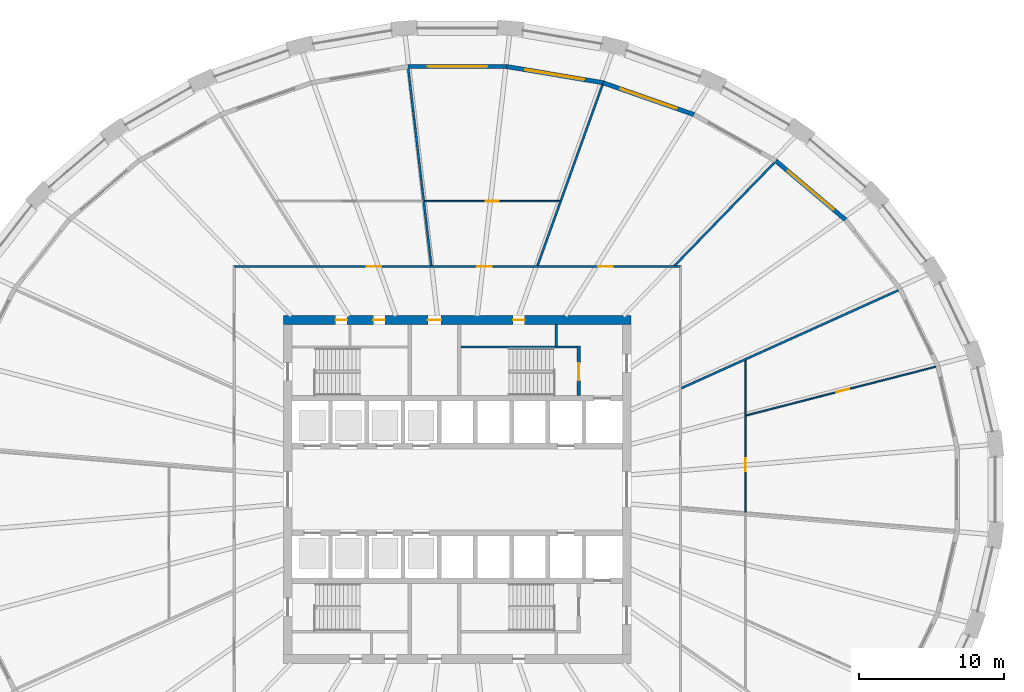
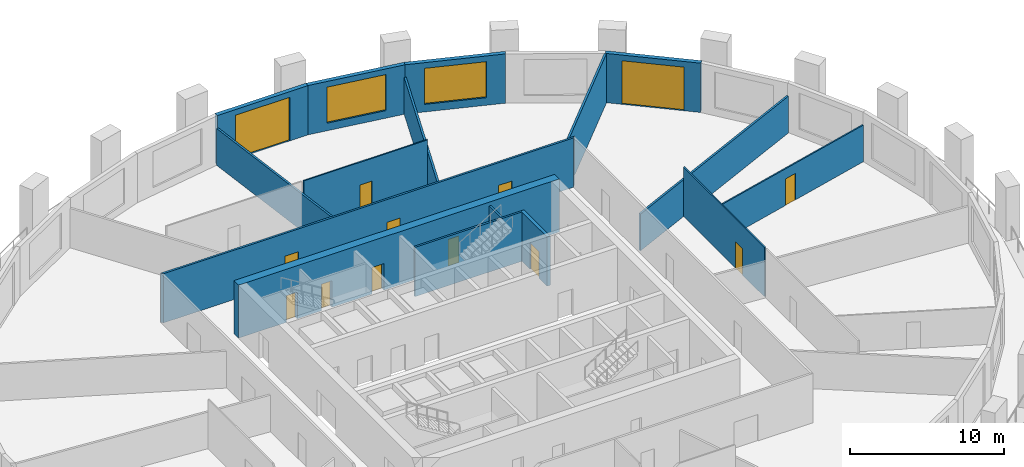
# One storey, part 6 of 10: 16 walls, 13 doors, 2 windows, 15 openings.
"""IFC4 building model written with IfcOpenShell, lengths in metres."""

from ifc_helpers import new_model, si_unit, direction, frame, frame_2d, origin, place, context, subcontext, project, spatial, polyline, rectangle, outline, extrude, material, layer, layer_set, type_object, element, fill, save


model = new_model("IFC4")

# Units and contexts
model_context = context("Model", 3, precision=1e-05, world=origin(), true_north=direction((0.0, 1.0)))
body_context = subcontext(model_context, "Body", "Model", "MODEL_VIEW")
ifc_project = project(units=[si_unit("LENGTHUNIT", "METRE"), si_unit("AREAUNIT", "SQUARE_METRE"), si_unit("VOLUMEUNIT", "CUBIC_METRE"), si_unit("PLANEANGLEUNIT", "RADIAN"), si_unit("MASSUNIT", "GRAM", prefix="KILO")], contexts=[model_context])

# Site, building, storey
site_placement = place(None, origin())
site = spatial("IfcSite", under=ifc_project, at=site_placement, CompositionType="ELEMENT")
building_placement = place(site_placement, origin())
building = spatial("IfcBuilding", under=site, at=building_placement, Name="Halqa Exchange Tower", CompositionType="ELEMENT")
storey_placement = place(building_placement, frame((0.0, 0.0, 48.699951171875)))
storey = spatial("IfcBuildingStorey", under=building, at=storey_placement, Name="L10", CompositionType="ELEMENT", Elevation=48.699951171875)

# Wall, openings, doors
ifc_material_1 = material(Name="Fire-rated gypsum board")
ifc_layer_1 = layer(ifc_material_1, 0.14990234375)
ifc_layer_set_1 = layer_set([ifc_layer_1], Name="Fire-rated gypsum board")
wall_type_1 = type_object("IfcWallType", Name="Fire partition EI 60 150", PredefinedType="PARTITIONING", material=ifc_layer_set_1)
wall_1_placement = place(storey_placement, frame((-15.47509765625, 15.39990234375, 0.0), z_axis=(0.0, 0.0, 1.0), x_axis=(1.0, 0.0, 0.0)))
wall_1 = element("IfcWall", 1, at=wall_1_placement, inside=storey, type_object=wall_type_1, Name="L10-PWL-009", PredefinedType="PARTITIONING", context=body_context, shape_type="SweptSolid", body=[
    extrude(outline(polyline([(0.150146484375, -0.074951171875), (2.065673828125, -0.074951171875), (3.9814453125, -0.074951171875), (5.89697265625, -0.074951171875), (7.8125, -0.074951171875), (9.728271484375, -0.074951171875), (11.643798828125, -0.074951171875), (13.5595703125, -0.074951171875), (15.47509765625, -0.074951171875), (17.390625, -0.074951171875), (19.306396484375, -0.074951171875), (21.221923828125, -0.074951171875), (23.1376953125, -0.074951171875), (25.05322265625, -0.074951171875), (26.96875, -0.074951171875), (28.884521484375, -0.074951171875), (30.800048828125, -0.074951171875), (30.949951171875, 0.074951171875), (29.015625, 0.074951171875), (27.081298828125, 0.074951171875), (25.14697265625, 0.074951171875), (23.21240234375, 0.074951171875), (21.278076171875, 0.074951171875), (19.34375, 0.074951171875), (17.409423828125, 0.074951171875), (15.47509765625, 0.074951171875), (13.540771484375, 0.074951171875), (11.6064453125, 0.074951171875), (9.672119140625, 0.074951171875), (7.73779296875, 0.074951171875), (5.80322265625, 0.074951171875), (3.868896484375, 0.074951171875), (1.9345703125, 0.074951171875), (0.000244140625, 0.074951171875), (0.150146484375, -0.074951171875)])), origin(), (0.0, 0.0, 1.0), 3.900146484375),
])
opening_1_placement = place(wall_1_placement, frame((16.840087890625, 0.0, 0.0)))
opening_1 = element("IfcOpeningElement", 2, at=opening_1_placement, cuts=wall_1, Name="Opening 03-01", PredefinedType="OPENING", context=body_context, shape_type="SweptSolid", body=[
    extrude(rectangle(XDim=1.0, YDim=2.10009765625, at=frame_2d((0.5, 1.050048828125))), frame((0.0, 0.0869140625, 0.0), z_axis=(0.0, -1.0, 0.0), x_axis=(1.0, 0.0, 0.0)), (0.0, 0.0, 1.0), 0.173828125),
])
opening_2_placement = place(wall_1_placement, frame((9.215087890625, 0.0, 0.0)))
opening_2 = element("IfcOpeningElement", 3, at=opening_2_placement, cuts=wall_1, Name="Opening 03-02", PredefinedType="OPENING", context=body_context, shape_type="SweptSolid", body=[
    extrude(rectangle(XDim=1.0, YDim=2.10009765625, at=frame_2d((0.5, 1.050048828125))), frame((0.0, 0.0869140625, 0.0), z_axis=(0.0, -1.0, 0.0), x_axis=(1.0, 0.0, 0.0)), (0.0, 0.0, 1.0), 0.173828125),
])
opening_3_placement = place(wall_1_placement, frame((25.2099609375, 0.0, 0.0)))
opening_3 = element("IfcOpeningElement", 4, at=opening_3_placement, cuts=wall_1, Name="Opening 03-13", PredefinedType="OPENING", context=body_context, shape_type="SweptSolid", body=[
    extrude(rectangle(XDim=1.0, YDim=2.10009765625, at=frame_2d((0.5, 1.050048828125))), frame((0.0, 0.0869140625, 0.0), z_axis=(0.0, -1.0, 0.0), x_axis=(1.0, 0.0, 0.0)), (0.0, 0.0, 1.0), 0.173828125),
])
ifc_material_2 = material(Name="Steel fire door leaf", Category="steel")
door_type_1 = type_object("IfcDoorType", Name="Fire door FD30S 1000 x 2100", OperationType="SINGLE_SWING_LEFT", PredefinedType="DOOR", material=ifc_material_2)
door_1_placement = place(opening_1_placement, origin())
door_1 = element("IfcDoor", 5, at=door_1_placement, inside=storey, type_object=door_type_1, Name="L10-IDR-001", OperationType="SINGLE_SWING_RIGHT", OverallHeight=2.10009765625, OverallWidth=1.0, PredefinedType="DOOR", context=body_context, shape_type="SweptSolid", body=[
    extrude(rectangle(XDim=1.0, YDim=2.10009765625, at=frame_2d((0.5, 1.050048828125))), frame((0.0, 0.02490234375, 0.0), z_axis=(0.0, -1.0, 0.0), x_axis=(1.0, 0.0, 0.0)), (0.0, 0.0, 1.0), 0.050048828125),
])
fill(opening_1, door_1)
door_2_placement = place(opening_2_placement, origin())
door_2 = element("IfcDoor", 6, at=door_2_placement, inside=storey, type_object=door_type_1, Name="L10-IDR-002", OperationType="SINGLE_SWING_RIGHT", OverallHeight=2.10009765625, OverallWidth=1.0, PredefinedType="DOOR", context=body_context, shape_type="SweptSolid", body=[
    extrude(rectangle(XDim=1.0, YDim=2.10009765625, at=frame_2d((0.5, 1.050048828125))), frame((0.0, 0.02490234375, 0.0), z_axis=(0.0, -1.0, 0.0), x_axis=(1.0, 0.0, 0.0)), (0.0, 0.0, 1.0), 0.050048828125),
])
fill(opening_2, door_2)
door_3_placement = place(opening_3_placement, origin())
door_3 = element("IfcDoor", 7, at=door_3_placement, inside=storey, type_object=door_type_1, Name="L10-IDR-013", OperationType="SINGLE_SWING_LEFT", OverallHeight=2.10009765625, OverallWidth=1.0, PredefinedType="DOOR", context=body_context, shape_type="SweptSolid", body=[
    extrude(rectangle(XDim=1.0, YDim=2.10009765625, at=frame_2d((0.5, 1.050048828125))), frame((0.0, 0.02490234375, 0.0), z_axis=(0.0, -1.0, 0.0), x_axis=(1.0, 0.0, 0.0)), (0.0, 0.0, 1.0), 0.050048828125),
])
fill(opening_3, door_3)

# Walls
wall_2_placement = place(storey_placement, frame((-3.385009765625, 29.0400390625, 0.0), z_axis=(0.0, 0.0, 1.0), x_axis=(0.116139488934, -0.993232912821, 0.0)))
element("IfcWall", 8, at=wall_2_placement, inside=storey, type_object=wall_type_1, Name="L10-PWL-012", PredefinedType="PARTITIONING", context=body_context, shape_type="SweptSolid", body=[
    extrude(outline(polyline([(0.0, -0.074951171875), (1.82861328125, -0.074951171875), (3.6572265625, -0.074951171875), (5.48583984375, -0.074951171875), (7.314453125, -0.074951171875), (9.143310546875, -0.074951171875), (9.14453125, -0.0634765625), (9.24267578125, -0.074951171875), (10.71142578125, -0.074951171875), (12.18017578125, -0.074951171875), (13.648681640625, -0.074951171875), (13.666015625, 0.0732421875), (13.666015625, 0.074951171875), (12.19775390625, 0.074951171875), (10.729736328125, 0.074951171875), (9.261474609375, 0.074951171875), (9.261474609375, 0.074951171875), (9.260986328125, 0.074951171875), (7.40966796875, 0.074951171875), (5.558349609375, 0.074951171875), (3.70703125, 0.074951171875), (1.855712890625, 0.074951171875), (0.00439453125, 0.074951171875), (0.0, 0.038330078125), (0.0, -0.074951171875)])), origin(), (0.0, 0.0, 1.0), 2.91015625),
])
wall_3_placement = place(storey_placement, frame((5.537841796875, 15.449951171875, 0.0), z_axis=(0.0, 0.0, 1.0), x_axis=(0.337991057854, 0.941149321208, 0.0)))
element("IfcWall", 9, at=wall_3_placement, inside=storey, type_object=wall_type_1, Name="L10-PWL-016", PredefinedType="PARTITIONING", context=body_context, shape_type="SweptSolid", body=[
    extrude(outline(polyline([(13.259033203125, -0.074951171875), (13.259033203125, -0.040771484375), (13.2587890625, -0.000244140625), (13.2451171875, 0.074951171875), (11.546875, 0.074951171875), (9.8486328125, 0.074951171875), (8.150146484375, 0.074951171875), (6.451904296875, 0.074951171875), (4.753662109375, 0.074951171875), (4.660400390625, 0.04150390625), (4.648193359375, 0.074951171875), (3.098876953125, 0.074951171875), (1.54931640625, 0.074951171875), (0.0, 0.074951171875), (0.0, 0.07421875), (0.053466796875, -0.074951171875), (1.93994140625, -0.074951171875), (3.826416015625, -0.074951171875), (5.713134765625, -0.074951171875), (7.599609375, -0.074951171875), (9.486083984375, -0.074951171875), (11.37255859375, -0.074951171875), (13.259033203125, -0.074951171875)])), origin(), (0.0, 0.0, 1.0), 2.91015625),
])
wall_4_placement = place(storey_placement, frame((14.972412109375, 15.423095703125, 0.0), z_axis=(0.0, 0.0, 1.0), x_axis=(0.696324469813, 0.717727129722, 0.0)))
element("IfcWall", 10, at=wall_4_placement, inside=storey, type_object=wall_type_1, Name="L10-PWL-017", PredefinedType="PARTITIONING", context=body_context, shape_type="SweptSolid", body=[
    extrude(outline(polyline([(0.0, 0.074951171875), (0.0, 0.074462890625), (0.14501953125, -0.074951171875), (2.100830078125, -0.074951171875), (4.056640625, -0.074951171875), (6.012451171875, -0.074951171875), (7.96826171875, -0.074951171875), (9.924072265625, -0.074951171875), (9.924072265625, 0.074951171875), (7.939208984375, 0.074951171875), (5.954345703125, 0.074951171875), (3.9697265625, 0.074951171875), (1.98486328125, 0.074951171875), (0.0, 0.074951171875)])), origin(), (0.0, 0.0, 1.0), 3.900146484375),
])
wall_5_placement = place(storey_placement, frame((15.444091796875, 6.97998046875, 0.0), z_axis=(0.0, 0.0, 1.0), x_axis=(0.911545333682, 0.411199592221, 0.0)))
element("IfcWall", 11, at=wall_5_placement, inside=storey, type_object=wall_type_1, Name="L10-PWL-021", PredefinedType="PARTITIONING", context=body_context, shape_type="SweptSolid", body=[
    extrude(outline(polyline([(0.0, -0.074951171875), (1.599853515625, -0.074951171875), (3.19970703125, -0.074951171875), (4.799560546875, -0.074951171875), (4.800537109375, -0.072998046875), (4.80517578125, -0.074951171875), (6.747314453125, -0.074951171875), (8.689697265625, -0.074951171875), (10.632080078125, -0.074951171875), (12.574462890625, -0.074951171875), (14.516845703125, -0.074951171875), (16.459228515625, -0.074951171875), (16.459228515625, -0.072021484375), (16.45654296875, 0.01171875), (16.44091796875, 0.074951171875), (14.62158203125, 0.074951171875), (12.80224609375, 0.074951171875), (10.983154296875, 0.074951171875), (9.163818359375, 0.074951171875), (7.3447265625, 0.074951171875), (5.525390625, 0.074951171875), (3.706298828125, 0.074951171875), (1.886962890625, 0.074951171875), (0.067626953125, 0.074951171875), (0.0, -0.074951171875)])), origin(), (0.0, 0.0, 1.0), 2.91015625),
])

# Wall, opening, door
ifc_material_3 = material(Name="Gypsum board")
ifc_layer_2 = layer(ifc_material_3, 0.10009765625)
ifc_layer_set_2 = layer_set([ifc_layer_2], Name="Gypsum board")
wall_type_2 = type_object("IfcWallType", Name="Partition 100 gypsum", PredefinedType="PARTITIONING", material=ifc_layer_set_2)
wall_6_placement = place(storey_placement, frame((-2.24658203125, 19.89990234375, 0.0), z_axis=(0.0, 0.0, 1.0), x_axis=(1.0, 0.0, 0.0)))
wall_6 = element("IfcWall", 12, at=wall_6_placement, inside=storey, type_object=wall_type_2, Name="L10-PWL-013", PredefinedType="PARTITIONING", context=body_context, shape_type="SweptSolid", body=[
    extrude(outline(polyline([(0.01171875, -0.050048828125), (1.866455078125, -0.050048828125), (3.720947265625, -0.050048828125), (5.57568359375, -0.050048828125), (7.43017578125, -0.050048828125), (9.284912109375, -0.050048828125), (9.320556640625, 0.04931640625), (9.320556640625, 0.050048828125), (7.45654296875, 0.050048828125), (5.59228515625, 0.050048828125), (3.728271484375, 0.050048828125), (1.864013671875, 0.050048828125), (0.0, 0.050048828125), (0.01171875, -0.050048828125)])), origin(), (0.0, 0.0, 1.0), 3.900146484375),
])
opening_4_placement = place(wall_6_placement, frame((4.20654296875, 0.0, 0.0)))
opening_4 = element("IfcOpeningElement", 13, at=opening_4_placement, cuts=wall_6, Name="Opening 03-14", PredefinedType="OPENING", context=body_context, shape_type="SweptSolid", body=[
    extrude(rectangle(XDim=0.89990234375, YDim=2.10009765625, at=frame_2d((0.449951171875, 1.050048828125))), frame((0.0, 0.06201171875, 0.0), z_axis=(0.0, -1.0, 0.0), x_axis=(1.0, 0.0, 0.0)), (0.0, 0.0, 1.0), 0.1240234375),
])
ifc_material_4 = material(Name="Timber door leaf", Category="wood")
door_type_2 = type_object("IfcDoorType", Name="Door 900 x 2100", OperationType="SINGLE_SWING_LEFT", PredefinedType="DOOR", material=ifc_material_4)
door_4_placement = place(opening_4_placement, frame((0.89990234375, 0.0, 0.0), z_axis=(0.0, 0.0, 1.0), x_axis=(-1.0, 0.0, 0.0)))
door_4 = element("IfcDoor", 14, at=door_4_placement, inside=storey, type_object=door_type_2, Name="L10-IDR-014", OperationType="SINGLE_SWING_LEFT", OverallHeight=2.10009765625, OverallWidth=0.89990234375, PredefinedType="DOOR", context=body_context, shape_type="SweptSolid", body=[
    extrude(rectangle(XDim=0.89990234375, YDim=2.10009765625, at=frame_2d((0.449951171875, 1.050048828125))), frame((0.0, 0.02490234375, 0.0), z_axis=(0.0, -1.0, 0.0), x_axis=(1.0, 0.0, 0.0)), (0.0, 0.0, 1.0), 0.050048828125),
])
fill(opening_4, door_4)

wall_7_placement = place(storey_placement, frame((19.89990234375, -1.5849609375, 0.0), z_axis=(0.0, 0.0, 1.0), x_axis=(0.0, 1.0, 0.0)))
wall_7 = element("IfcWall", 15, at=wall_7_placement, inside=storey, type_object=wall_type_2, Name="L10-PWL-024", PredefinedType="PARTITIONING", context=body_context, shape_type="SweptSolid", body=[
    extrude(outline(polyline([(0.0, -0.050048828125), (1.685546875, -0.050048828125), (3.370849609375, -0.050048828125), (5.056396484375, -0.050048828125), (6.74169921875, -0.050048828125), (6.7490234375, -0.048095703125), (6.74951171875, -0.050048828125), (8.632080078125, -0.050048828125), (10.514892578125, -0.050048828125), (10.514892578125, -0.04931640625), (10.469970703125, 0.050048828125), (8.726318359375, 0.050048828125), (6.982666015625, 0.050048828125), (5.239013671875, 0.050048828125), (3.495361328125, 0.050048828125), (1.751708984375, 0.050048828125), (0.008056640625, 0.050048828125), (0.0, -0.045654296875), (0.0, -0.050048828125)])), origin(), (0.0, 0.0, 1.0), 3.900146484375),
])
opening_5_placement = place(wall_7_placement, frame((2.85498046875, 0.0, 0.0)))
opening_5 = element("IfcOpeningElement", 16, at=opening_5_placement, cuts=wall_7, Name="Opening 03-20", PredefinedType="OPENING", context=body_context, shape_type="SweptSolid", body=[
    extrude(rectangle(XDim=0.89990234375, YDim=2.10009765625, at=frame_2d((0.449951171875, 1.050048828125))), frame((0.0, 0.06201171875, 0.0), z_axis=(0.0, -1.0, 0.0), x_axis=(1.0, 0.0, 0.0)), (0.0, 0.0, 1.0), 0.1240234375),
])
door_5_placement = place(opening_5_placement, origin())
door_5 = element("IfcDoor", 17, at=door_5_placement, inside=storey, type_object=door_type_2, Name="L10-IDR-020", OperationType="SINGLE_SWING_RIGHT", OverallHeight=2.10009765625, OverallWidth=0.89990234375, PredefinedType="DOOR", context=body_context, shape_type="SweptSolid", body=[
    extrude(rectangle(XDim=0.89990234375, YDim=2.10009765625, at=frame_2d((0.449951171875, 1.050048828125))), frame((0.0, 0.02490234375, 0.0), z_axis=(0.0, -1.0, 0.0), x_axis=(1.0, 0.0, 0.0)), (0.0, 0.0, 1.0), 0.050048828125),
])
fill(opening_5, door_5)

wall_8_placement = place(storey_placement, frame((19.937744140625, 5.109619140625, 0.0), z_axis=(0.0, 0.0, 1.0), x_axis=(0.968505877435, 0.248990693348, 0.0)))
wall_8 = element("IfcWall", 18, at=wall_8_placement, inside=storey, type_object=wall_type_2, Name="L10-PWL-025", PredefinedType="PARTITIONING", context=body_context, shape_type="SweptSolid", body=[
    extrude(outline(polyline([(13.515380859375, -0.050048828125), (13.515380859375, 0.00341796875), (13.505615234375, 0.050048828125), (11.580078125, 0.050048828125), (9.654296875, 0.050048828125), (7.728515625, 0.050048828125), (5.802734375, 0.050048828125), (3.876953125, 0.050048828125), (1.951171875, 0.050048828125), (0.025634765625, 0.050048828125), (0.0, -0.04931640625), (0.0, -0.050048828125), (1.9306640625, -0.050048828125), (3.861572265625, -0.050048828125), (5.792236328125, -0.050048828125), (7.72314453125, -0.050048828125), (9.65380859375, -0.050048828125), (11.584716796875, -0.050048828125), (13.515380859375, -0.050048828125)])), origin(), (0.0, 0.0, 1.0), 2.900146484375),
])
opening_6_placement = place(wall_8_placement, frame((6.439208984375, 0.0, 0.0)))
opening_6 = element("IfcOpeningElement", 19, at=opening_6_placement, cuts=wall_8, Name="Opening 03-21", PredefinedType="OPENING", context=body_context, shape_type="SweptSolid", body=[
    extrude(rectangle(XDim=0.89990234375, YDim=2.10009765625, at=frame_2d((0.449951171875, 1.050048828125))), frame((0.0, 0.06201171875, 0.0), z_axis=(0.0, -1.0, 0.0), x_axis=(1.0, 0.0, 0.0)), (0.0, 0.0, 1.0), 0.1240234375),
])
door_6_placement = place(opening_6_placement, origin())
door_6 = element("IfcDoor", 20, at=door_6_placement, inside=storey, type_object=door_type_2, Name="L10-IDR-021", OperationType="SINGLE_SWING_RIGHT", OverallHeight=2.10009765625, OverallWidth=0.89990234375, PredefinedType="DOOR", context=body_context, shape_type="SweptSolid", body=[
    extrude(rectangle(XDim=0.89990234375, YDim=2.10009765625, at=frame_2d((0.449951171875, 1.050048828125))), frame((0.0, 0.02490234375, 0.0), z_axis=(0.0, -1.0, 0.0), x_axis=(1.0, 0.0, 0.0)), (0.0, 0.0, 1.0), 0.050048828125),
])
fill(opening_6, door_6)

# Wall
ifc_layer_3 = layer(ifc_material_3, 0.14990234375)
ifc_layer_set_3 = layer_set([ifc_layer_3], Name="Gypsum board")
wall_type_3 = type_object("IfcWallType", Name="Penthouse riser wall 150 gypsum", PredefinedType="PARTITIONING", material=ifc_layer_set_3)
wall_9_placement = place(storey_placement, frame((6.824951171875, 9.89990234375, 0.0), z_axis=(0.0, 0.0, 1.0), x_axis=(0.0, 1.0, 0.0)))
element("IfcWall", 21, at=wall_9_placement, inside=storey, type_object=wall_type_3, Name="Firefighting lobby west wall N", PredefinedType="PARTITIONING", context=body_context, shape_type="SweptSolid", body=[
    extrude(rectangle(XDim=1.5, YDim=0.14990234375, at=frame_2d((0.75, 0.0))), origin(), (0.0, 0.0, 1.0), 3.900146484375),
])

# Wall, openings, doors
ifc_material_5 = material(Name="Concrete C80/95", Category="concrete")
ifc_layer_4 = layer(ifc_material_5, 0.60009765625)
ifc_layer_set_4 = layer_set([ifc_layer_4], Name="Concrete C80/95")
wall_type_4 = type_object("IfcWallType", Name="RC core wall 600 C80/95", PredefinedType="SHEAR", material=ifc_layer_set_4)
wall_10_placement = place(storey_placement, frame((-12.0, 11.699951171875, 0.0), z_axis=(0.0, 0.0, 1.0), x_axis=(1.0, 0.0, 0.0)))
wall_10 = element("IfcWall", 22, at=wall_10_placement, inside=storey, type_object=wall_type_4, Name="Core wall north", PredefinedType="SHEAR", context=body_context, shape_type="SweptSolid", body=[
    extrude(rectangle(XDim=24.0, YDim=0.60009765625, at=frame_2d((12.0, 0.0))), origin(), (0.0, 0.0, 1.0), 4.199951171875),
])
opening_7_placement = place(wall_10_placement, frame((9.97509765625, 0.0, 0.0)))
opening_7 = element("IfcOpeningElement", 23, at=opening_7_placement, cuts=wall_10, Name="Opening T03-C21", PredefinedType="OPENING", context=body_context, shape_type="SweptSolid", body=[
    extrude(rectangle(XDim=0.89990234375, YDim=2.10009765625, at=frame_2d((0.449951171875, 1.050048828125))), frame((0.0, 0.31201171875, 0.0), z_axis=(0.0, -1.0, 0.0), x_axis=(1.0, 0.0, 0.0)), (0.0, 0.0, 1.0), 0.6240234375),
])
opening_8_placement = place(wall_10_placement, frame((3.60009765625, 0.0, 0.0)))
opening_8 = element("IfcOpeningElement", 24, at=opening_8_placement, cuts=wall_10, Name="Opening T03-C22", PredefinedType="OPENING", context=body_context, shape_type="SweptSolid", body=[
    extrude(rectangle(XDim=0.800048828125, YDim=2.10009765625, at=frame_2d((0.39990234375, 1.050048828125))), frame((0.0, 0.31201171875, 0.0), z_axis=(0.0, -1.0, 0.0), x_axis=(1.0, 0.0, 0.0)), (0.0, 0.0, 1.0), 0.6240234375),
])
opening_9_placement = place(wall_10_placement, frame((6.199951171875, 0.0, 0.0)))
opening_9 = element("IfcOpeningElement", 25, at=opening_9_placement, cuts=wall_10, Name="Opening T03-C23", PredefinedType="OPENING", context=body_context, shape_type="SweptSolid", body=[
    extrude(rectangle(XDim=0.800048828125, YDim=2.10009765625, at=frame_2d((0.39990234375, 1.050048828125))), frame((0.0, 0.31201171875, 0.0), z_axis=(0.0, -1.0, 0.0), x_axis=(1.0, 0.0, 0.0)), (0.0, 0.0, 1.0), 0.6240234375),
])
opening_10_placement = place(wall_10_placement, frame((15.85009765625, 0.0, 0.0)))
opening_10 = element("IfcOpeningElement", 26, at=opening_10_placement, cuts=wall_10, Name="Opening T03-C24", PredefinedType="OPENING", context=body_context, shape_type="SweptSolid", body=[
    extrude(rectangle(XDim=0.800048828125, YDim=2.10009765625, at=frame_2d((0.39990234375, 1.050048828125))), frame((0.0, 0.31201171875, 0.0), z_axis=(0.0, -1.0, 0.0), x_axis=(1.0, 0.0, 0.0)), (0.0, 0.0, 1.0), 0.6240234375),
])
ifc_material_6 = material(Name="Timber fire door leaf", Category="wood")
door_type_3 = type_object("IfcDoorType", Name="Core room door FD30 900 x 2100", OperationType="SINGLE_SWING_LEFT", PredefinedType="DOOR", material=ifc_material_6)
door_7_placement = place(opening_7_placement, frame((0.89990234375, 0.0, 0.0), z_axis=(0.0, 0.0, 1.0), x_axis=(-1.0, 0.0, 0.0)))
door_7 = element("IfcDoor", 27, at=door_7_placement, inside=storey, type_object=door_type_3, Name="Core room door", OperationType="SINGLE_SWING_LEFT", OverallHeight=2.10009765625, OverallWidth=0.89990234375, PredefinedType="DOOR", context=body_context, shape_type="SweptSolid", body=[
    extrude(rectangle(XDim=0.89990234375, YDim=2.10009765625, at=frame_2d((0.449951171875, 1.050048828125))), frame((0.0, 0.02490234375, 0.0), z_axis=(0.0, -1.0, 0.0), x_axis=(1.0, 0.0, 0.0)), (0.0, 0.0, 1.0), 0.050048828125),
])
fill(opening_7, door_7)
door_type_4 = type_object("IfcDoorType", Name="Riser door FD60 800 x 2100", OperationType="SINGLE_SWING_LEFT", PredefinedType="DOOR", material=ifc_material_2)
door_8_placement = place(opening_8_placement, frame((0.800048828125, 0.0, 0.0), z_axis=(0.0, 0.0, 1.0), x_axis=(-1.0, 0.0, 0.0)))
door_8 = element("IfcDoor", 28, at=door_8_placement, inside=storey, type_object=door_type_4, Name="Core room door", OperationType="SINGLE_SWING_RIGHT", OverallHeight=2.10009765625, OverallWidth=0.800048828125, PredefinedType="DOOR", context=body_context, shape_type="SweptSolid", body=[
    extrude(rectangle(XDim=0.800048828125, YDim=2.10009765625, at=frame_2d((0.39990234375, 1.050048828125))), frame((0.0, 0.02490234375, 0.0), z_axis=(0.0, -1.0, 0.0), x_axis=(1.0, 0.0, 0.0)), (0.0, 0.0, 1.0), 0.050048828125),
])
fill(opening_8, door_8)
door_9_placement = place(opening_9_placement, frame((0.800048828125, 0.0, 0.0), z_axis=(0.0, 0.0, 1.0), x_axis=(-1.0, 0.0, 0.0)))
door_9 = element("IfcDoor", 29, at=door_9_placement, inside=storey, type_object=door_type_4, Name="Core room door", OperationType="SINGLE_SWING_LEFT", OverallHeight=2.10009765625, OverallWidth=0.800048828125, PredefinedType="DOOR", context=body_context, shape_type="SweptSolid", body=[
    extrude(rectangle(XDim=0.800048828125, YDim=2.10009765625, at=frame_2d((0.39990234375, 1.050048828125))), frame((0.0, 0.02490234375, 0.0), z_axis=(0.0, -1.0, 0.0), x_axis=(1.0, 0.0, 0.0)), (0.0, 0.0, 1.0), 0.050048828125),
])
fill(opening_9, door_9)
door_10_placement = place(opening_10_placement, frame((0.800048828125, 0.0, 0.0), z_axis=(0.0, 0.0, 1.0), x_axis=(-1.0, 0.0, 0.0)))
door_10 = element("IfcDoor", 30, at=door_10_placement, inside=storey, type_object=door_type_4, Name="Core room door", OperationType="SINGLE_SWING_RIGHT", OverallHeight=2.10009765625, OverallWidth=0.800048828125, PredefinedType="DOOR", context=body_context, shape_type="SweptSolid", body=[
    extrude(rectangle(XDim=0.800048828125, YDim=2.10009765625, at=frame_2d((0.39990234375, 1.050048828125))), frame((0.0, 0.02490234375, 0.0), z_axis=(0.0, -1.0, 0.0), x_axis=(1.0, 0.0, 0.0)), (0.0, 0.0, 1.0), 0.050048828125),
])
fill(opening_10, door_10)

# Wall
ifc_material_7 = material(Name="Concrete C30/37", Category="concrete")
ifc_layer_5 = layer(ifc_material_7, 0.14990234375)
ifc_layer_set_5 = layer_set([ifc_layer_5], Name="Concrete C30/37")
wall_type_5 = type_object("IfcWallType", Name="RC stair wall 150 C30/37", PredefinedType="SHEAR", material=ifc_layer_set_5)
wall_11_placement = place(storey_placement, frame((0.25, 9.824951171875, 0.0), z_axis=(0.0, 0.0, 1.0), x_axis=(1.0, 0.0, 0.0)))
element("IfcWall", 31, at=wall_11_placement, inside=storey, type_object=wall_type_5, Name="Stair ST2 north wall N", PredefinedType="SHEAR", context=body_context, shape_type="SweptSolid", body=[
    extrude(rectangle(XDim=8.0, YDim=0.14990234375, at=frame_2d((4.0, 0.0))), origin(), (0.0, 0.0, 1.0), 3.900146484375),
])

# Wall, opening, door
ifc_layer_6 = layer(ifc_material_7, 0.25)
ifc_layer_set_6 = layer_set([ifc_layer_6], Name="Concrete C30/37")
wall_type_6 = type_object("IfcWallType", Name="RC stair wall 250 C30/37", PredefinedType="SHEAR", material=ifc_layer_set_6)
wall_12_placement = place(storey_placement, frame((8.375, 6.5, 0.0), z_axis=(0.0, 0.0, 1.0), x_axis=(0.0, 1.0, 0.0)))
wall_12 = element("IfcWall", 32, at=wall_12_placement, inside=storey, type_object=wall_type_6, Name="Stair ST2 east wall N", PredefinedType="SHEAR", context=body_context, shape_type="SweptSolid", body=[
    extrude(rectangle(XDim=3.39990234375, YDim=0.25, at=frame_2d((1.699951171875, 0.0))), origin(), (0.0, 0.0, 1.0), 3.900146484375),
])
opening_11_placement = place(wall_12_placement, frame((1.02490234375, 0.0, 0.0)))
opening_11 = element("IfcOpeningElement", 33, at=opening_11_placement, cuts=wall_12, Name="Opening T03-C16", PredefinedType="OPENING", context=body_context, shape_type="SweptSolid", body=[
    extrude(rectangle(XDim=1.199951171875, YDim=2.10009765625, at=frame_2d((0.60009765625, 1.050048828125))), frame((0.0, 0.136962890625, 0.0), z_axis=(0.0, -1.0, 0.0), x_axis=(1.0, 0.0, 0.0)), (0.0, 0.0, 1.0), 0.27392578125),
])
door_type_5 = type_object("IfcDoorType", Name="Stair door FD90 1200 x 2100", OperationType="SINGLE_SWING_LEFT", PredefinedType="DOOR", material=ifc_material_2)
door_11_placement = place(opening_11_placement, origin())
door_11 = element("IfcDoor", 34, at=door_11_placement, inside=storey, type_object=door_type_5, Name="Stair door ST2", OperationType="SINGLE_SWING_RIGHT", OverallHeight=2.10009765625, OverallWidth=1.199951171875, PredefinedType="DOOR", context=body_context, shape_type="SweptSolid", body=[
    extrude(rectangle(XDim=1.199951171875, YDim=2.10009765625, at=frame_2d((0.60009765625, 1.050048828125))), frame((0.0, 0.02490234375, 0.0), z_axis=(0.0, -1.0, 0.0), x_axis=(1.0, 0.0, 0.0)), (0.0, 0.0, 1.0), 0.050048828125),
])
fill(opening_11, door_11)

ifc_material_8 = material(Name="Limestone cladding", Category="masonry")
ifc_layer_7 = layer(ifc_material_8, 0.0400390625)
ifc_material_9 = material(Name="Ventilated cavity")
ifc_layer_8 = layer(ifc_material_9, 0.030029296875, ventilated=True)
ifc_material_10 = material(Name="Mineral wool insulation")
ifc_layer_9 = layer(ifc_material_10, 0.10009765625)
ifc_layer_10 = layer(ifc_material_7, 0.10009765625)
ifc_material_11 = material(Name="Internal plaster")
ifc_layer_11 = layer(ifc_material_11, 0.030029296875)
ifc_layer_set_7 = layer_set([ifc_layer_7, ifc_layer_8, ifc_layer_9, ifc_layer_10, ifc_layer_11], Name="Stone-faced insulated wall 300")
wall_type_7 = type_object("IfcWallType", Name="Stone-faced insulated wall 300", PredefinedType="STANDARD", material=ifc_layer_set_7)
wall_13_placement = place(storey_placement, frame((26.78955078125, 18.61962890625, 0.0), z_axis=(0.0, 0.0, 1.0), x_axis=(-0.763614259808, 0.645672720671, 0.0)))
wall_13 = element("IfcWall", 35, at=wall_13_placement, inside=storey, type_object=wall_type_7, Name="Glass-line wall 4", PredefinedType="STANDARD", context=body_context, shape_type="SweptSolid", body=[
    extrude(outline(polyline([(-0.01513671875, -0.14990234375), (6.30908203125, -0.14990234375), (6.28076171875, 0.14990234375), (0.01513671875, 0.14990234375), (-0.01513671875, -0.14990234375)])), origin(), (0.0, 0.0, 1.0), 3.900146484375),
])
opening_12_placement = place(wall_13_placement, frame((1.097412109375, 0.0, 0.0)))
opening_12 = element("IfcOpeningElement", 36, at=opening_12_placement, cuts=wall_13, Name="Opening LG-F1-01", PredefinedType="OPENING", context=body_context, shape_type="SweptSolid", body=[
    extrude(rectangle(XDim=4.10009765625, YDim=3.449951171875, at=frame_2d((2.050048828125, 1.72509765625))), frame((0.0, 0.162109375, 0.0), z_axis=(0.0, -1.0, 0.0), x_axis=(1.0, 0.0, 0.0)), (0.0, 0.0, 1.0), 0.323974609375),
])
ifc_material_12 = material(Name="Clear low-emissivity glass in aluminium frame", Category="aluminium")
door_type_6 = type_object("IfcDoorType", Name="Glazed sliding loggia door 4100 x 3450", OperationType="DOUBLE_DOOR_SLIDING", PredefinedType="DOOR", material=ifc_material_12)
door_12_placement = place(opening_12_placement, origin())
door_12 = element("IfcDoor", 37, at=door_12_placement, inside=storey, type_object=door_type_6, Name="Loggia door 1", OperationType="DOUBLE_DOOR_SLIDING", OverallHeight=3.449951171875, OverallWidth=4.10009765625, PredefinedType="DOOR", context=body_context, shape_type="SweptSolid", body=[
    extrude(rectangle(XDim=4.10009765625, YDim=3.449951171875, at=frame_2d((2.050048828125, 1.72509765625))), frame((0.0, 0.02490234375, 0.0), z_axis=(0.0, -1.0, 0.0), x_axis=(1.0, 0.0, 0.0)), (0.0, 0.0, 1.0), 0.050048828125),
])
fill(opening_12, door_12)

# Wall, opening, window
wall_14_placement = place(storey_placement, frame((16.332763671875, 25.876220703125, 0.0), z_axis=(0.0, 0.0, 1.0), x_axis=(-0.943790794479, 0.330543395421, 0.0)))
wall_14 = element("IfcWall", 38, at=wall_14_placement, inside=storey, type_object=wall_type_7, Name="Glass-line wall 6", PredefinedType="STANDARD", context=body_context, shape_type="SweptSolid", body=[
    extrude(outline(polyline([(-0.013427734375, -0.14990234375), (6.662353515625, -0.14990234375), (6.636962890625, 0.14990234375), (0.013427734375, 0.14990234375), (-0.013427734375, -0.14990234375)])), origin(), (0.0, 0.0, 1.0), 3.900146484375),
])
opening_13_placement = place(wall_14_placement, frame((1.27490234375, 0.0, 0.60009765625)))
opening_13 = element("IfcOpeningElement", 39, at=opening_13_placement, cuts=wall_14, Name="Opening W-F1-06", PredefinedType="OPENING", context=body_context, shape_type="SweptSolid", body=[
    extrude(rectangle(XDim=4.10009765625, YDim=2.85009765625, at=frame_2d((2.050048828125, 1.425048828125))), frame((0.0, 0.162109375, 0.0), z_axis=(0.0, -1.0, 0.0), x_axis=(1.0, 0.0, 0.0)), (0.0, 0.0, 1.0), 0.323974609375),
])
window_type = type_object("IfcWindowType", Name="Fixed clear glazed window 4100 x 2850", PartitioningType="TRIPLE_PANEL_VERTICAL", PredefinedType="WINDOW", material=ifc_material_12)
window_1_placement = place(opening_13_placement, origin())
window_1 = element("IfcWindow", 40, at=window_1_placement, inside=storey, type_object=window_type, Name="Window 1", OverallHeight=2.85009765625, OverallWidth=4.10009765625, PartitioningType="TRIPLE_PANEL_VERTICAL", PredefinedType="WINDOW", context=body_context, shape_type="SweptSolid", body=[
    extrude(rectangle(XDim=4.10009765625, YDim=2.85009765625, at=frame_2d((2.050048828125, 1.425048828125))), frame((0.0, 0.030029296875, 0.0), z_axis=(0.0, -1.0, 0.0), x_axis=(1.0, 0.0, 0.0)), (0.0, 0.0, 1.0), 0.06005859375),
])
fill(opening_13, window_1)

wall_15_placement = place(storey_placement, frame((10.056884765625, 28.07421875, 0.0), z_axis=(0.0, 0.0, 1.0), x_axis=(-0.986149614624, 0.165858185139, 0.0)))
wall_15 = element("IfcWall", 41, at=wall_15_placement, inside=storey, type_object=wall_type_7, Name="Glass-line wall 7", PredefinedType="STANDARD", context=body_context, shape_type="SweptSolid", body=[
    extrude(outline(polyline([(-0.0126953125, -0.14990234375), (6.767333984375, -0.14990234375), (6.742431640625, 0.14990234375), (0.0126953125, 0.14990234375), (-0.0126953125, -0.14990234375)])), origin(), (0.0, 0.0, 1.0), 3.900146484375),
])
opening_14_placement = place(wall_15_placement, frame((1.327392578125, 0.0, 0.60009765625)))
opening_14 = element("IfcOpeningElement", 42, at=opening_14_placement, cuts=wall_15, Name="Opening W-F1-07", PredefinedType="OPENING", context=body_context, shape_type="SweptSolid", body=[
    extrude(rectangle(XDim=4.10009765625, YDim=2.85009765625, at=frame_2d((2.050048828125, 1.425048828125))), frame((0.0, 0.162109375, 0.0), z_axis=(0.0, -1.0, 0.0), x_axis=(1.0, 0.0, 0.0)), (0.0, 0.0, 1.0), 0.323974609375),
])
window_2_placement = place(opening_14_placement, origin())
window_2 = element("IfcWindow", 43, at=window_2_placement, inside=storey, type_object=window_type, Name="Window 1", OverallHeight=2.85009765625, OverallWidth=4.10009765625, PartitioningType="TRIPLE_PANEL_VERTICAL", PredefinedType="WINDOW", context=body_context, shape_type="SweptSolid", body=[
    extrude(rectangle(XDim=4.10009765625, YDim=2.85009765625, at=frame_2d((2.050048828125, 1.425048828125))), frame((0.0, 0.030029296875, 0.0), z_axis=(0.0, -1.0, 0.0), x_axis=(1.0, 0.0, 0.0)), (0.0, 0.0, 1.0), 0.06005859375),
])
fill(opening_14, window_2)

# Wall, opening, door
wall_16_placement = place(storey_placement, frame((3.3955078125, 29.194580078125, 0.0), z_axis=(0.0, 0.0, 1.0), x_axis=(-1.0, 0.0, 0.0)))
wall_16 = element("IfcWall", 44, at=wall_16_placement, inside=storey, type_object=wall_type_7, Name="Glass-line wall 8", PredefinedType="STANDARD", context=body_context, shape_type="SweptSolid", body=[
    extrude(outline(polyline([(-0.012451171875, -0.14990234375), (6.803466796875, -0.14990234375), (6.778564453125, 0.14990234375), (0.012451171875, 0.14990234375), (-0.012451171875, -0.14990234375)])), origin(), (0.0, 0.0, 1.0), 3.900146484375),
])
opening_15_placement = place(wall_16_placement, frame((1.345703125, 0.0, 0.0)))
opening_15 = element("IfcOpeningElement", 45, at=opening_15_placement, cuts=wall_16, Name="Opening LG-F1-02", PredefinedType="OPENING", context=body_context, shape_type="SweptSolid", body=[
    extrude(rectangle(XDim=4.10009765625, YDim=3.449951171875, at=frame_2d((2.050048828125, 1.72509765625))), frame((0.0, 0.162109375, 0.0), z_axis=(0.0, -1.0, 0.0), x_axis=(1.0, 0.0, 0.0)), (0.0, 0.0, 1.0), 0.323974609375),
])
door_13_placement = place(opening_15_placement, origin())
door_13 = element("IfcDoor", 46, at=door_13_placement, inside=storey, type_object=door_type_6, Name="Loggia door 2", OperationType="DOUBLE_DOOR_SLIDING", OverallHeight=3.449951171875, OverallWidth=4.10009765625, PredefinedType="DOOR", context=body_context, shape_type="SweptSolid", body=[
    extrude(rectangle(XDim=4.10009765625, YDim=3.449951171875, at=frame_2d((2.050048828125, 1.72509765625))), frame((0.0, 0.02490234375, 0.0), z_axis=(0.0, -1.0, 0.0), x_axis=(1.0, 0.0, 0.0)), (0.0, 0.0, 1.0), 0.050048828125),
])
fill(opening_15, door_13)

save(model, "model.ifc")
